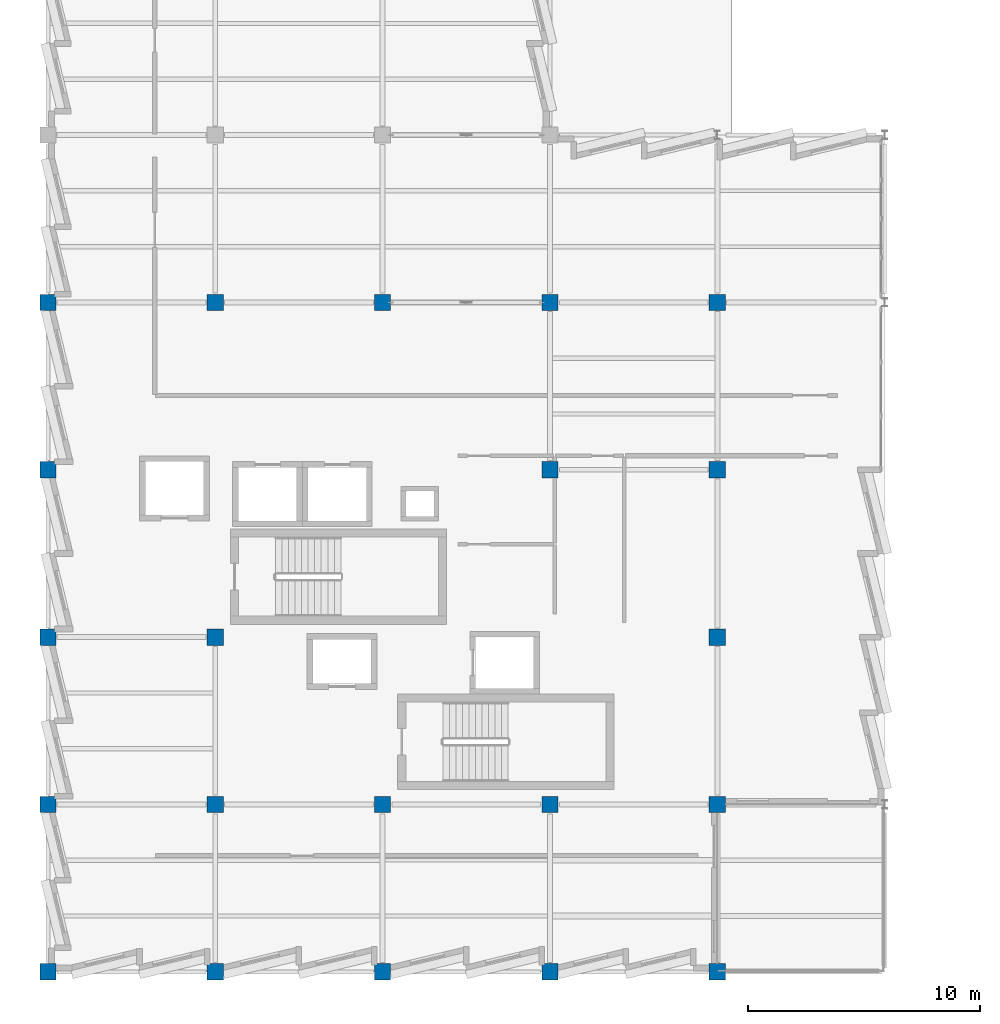
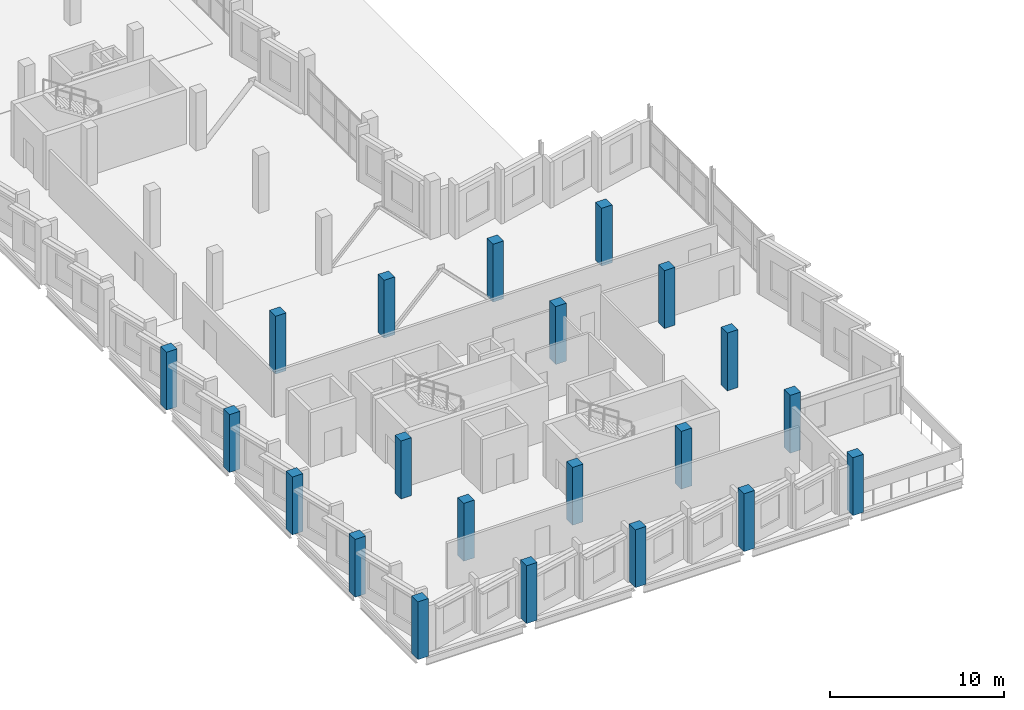
# One storey, part 1 of 38: 21 columns.
"""IFC4 building model written with IfcOpenShell, lengths in metres."""

from ifc_helpers import new_model, si_unit, direction, frame, origin, origin_2d, place, context, subcontext, project, spatial, rectangle, extrude, material, material_profile, profile_set, type_object, element, save


model = new_model("IFC4")

# Units and contexts
model_context = context("Model", 3, precision=1e-05, world=origin(), true_north=direction((0.0, 1.0)))
body_context = subcontext(model_context, "Body", "Model", "MODEL_VIEW")
ifc_project = project(units=[si_unit("LENGTHUNIT", "METRE"), si_unit("AREAUNIT", "SQUARE_METRE"), si_unit("VOLUMEUNIT", "CUBIC_METRE"), si_unit("PLANEANGLEUNIT", "RADIAN"), si_unit("MASSUNIT", "GRAM", prefix="KILO")], contexts=[model_context])

# Site, building, storey
site_placement = place(None, origin())
site = spatial("IfcSite", under=ifc_project, at=site_placement, CompositionType="ELEMENT")
building_placement = place(site_placement, origin())
building = spatial("IfcBuilding", under=site, at=building_placement, Name="Kalmorath City Hall", CompositionType="ELEMENT")
storey_placement = place(building_placement, frame((0.0, 0.0, 18.89990234375)))
storey = spatial("IfcBuildingStorey", under=building, at=storey_placement, Name="L04", CompositionType="ELEMENT", Elevation=18.89990234375)

# Columns
ifc_material = material(Name="Concrete C50/60", Category="concrete")
ifc_material_profile = material_profile(ifc_material, rectangle(XDim=0.699951171875, YDim=0.699951171875, at=origin_2d()), Name="RC-COL-700X700")
ifc_profile_set = profile_set([ifc_material_profile], Name="Concrete C50/60")
column_type = type_object("IfcColumnType", Name="Concrete column 700x700", PredefinedType="COLUMN", material=ifc_profile_set)
for number, where, z_axis, x_axis, name in (
    (1, (0.0, 0.0, 0.0), (0.0, 0.0, 1.0), (1.0, 0.0, 0.0), "L04 column C4 (1/1)"),
    (2, (0.0, 7.199951171875, 0.0), (0.0, 0.0, 1.0), (1.0, 0.0, 0.0), "L04 column C4 (1/2)"),
    (3, (0.0, 14.39990234375, 0.0), (0.0, 0.0, 1.0), (1.0, 0.0, 0.0), "L04 column C4 (1/3)"),
    (4, (0.0, 21.60009765625, 0.0), (0.0, 0.0, 1.0), (1.0, 0.0, 0.0), "L04 column C4 (1/4)"),
    (5, (0.0, 28.800048828125, 0.0), (0.0, 0.0, 1.0), (1.0, 0.0, 0.0), "L04 column C4 (1/5)"),
    (6, (7.199951171875, 0.0, 0.0), (0.0, 0.0, 1.0), (1.0, 0.0, 0.0), "L04 column C4 (2/1)"),
    (7, (7.199951171875, 7.199951171875, 0.0), (0.0, 0.0, 1.0), (1.0, 0.0, 0.0), "L04 column C4 (2/2)"),
    (8, (7.199951171875, 14.39990234375, 0.0), (0.0, 0.0, 1.0), (1.0, 0.0, 0.0), "L04 column C4 (2/3)"),
    (9, (7.199951171875, 28.800048828125, 0.0), (0.0, 0.0, 1.0), (1.0, 0.0, 0.0), "L04 column C4 (2/5)"),
    (10, (14.39990234375, 0.0, 0.0), (0.0, 0.0, 1.0), (1.0, 0.0, 0.0), "L04 column C4 (3/1)"),
    (11, (14.39990234375, 7.199951171875, 0.0), (0.0, 0.0, 1.0), (1.0, 0.0, 0.0), "L04 column C4 (3/2)"),
    (12, (14.39990234375, 28.800048828125, 0.0), (0.0, 0.0, 1.0), (1.0, 0.0, 0.0), "L04 column C4 (3/5)"),
    (13, (21.60009765625, 0.0, 0.0), (0.0, 0.0, 1.0), (1.0, 0.0, 0.0), "L04 column C4 (4/1)"),
    (14, (21.60009765625, 7.199951171875, 0.0), (0.0, 0.0, 1.0), (1.0, 0.0, 0.0), "L04 column C4 (4/2)"),
    (15, (21.60009765625, 21.60009765625, 0.0), (0.0, 0.0, 1.0), (1.0, 0.0, 0.0), "L04 column C4 (4/4)"),
    (16, (21.60009765625, 28.800048828125, 0.0), (0.0, 0.0, 1.0), (1.0, 0.0, 0.0), "L04 column C4 (4/5)"),
    (17, (28.800048828125, 0.0, 0.0), (0.0, 0.0, 1.0), (1.0, 0.0, 0.0), "L04 column C4 (5/1)"),
    (18, (28.800048828125, 7.199951171875, 0.0), (0.0, 0.0, 1.0), (1.0, 0.0, 0.0), "L04 column C4 (5/2)"),
    (19, (28.800048828125, 14.39990234375, 0.0), (0.0, 0.0, 1.0), (1.0, 0.0, 0.0), "L04 column C4 (5/3)"),
    (20, (28.800048828125, 21.60009765625, 0.0), (0.0, 0.0, 1.0), (1.0, 0.0, 0.0), "L04 column C4 (5/4)"),
    (21, (28.800048828125, 28.800048828125, 0.0), (0.0, 0.0, 1.0), (1.0, 0.0, 0.0), "L04 column C4 (5/5)"),
):
    element("IfcColumn", number, at=place(storey_placement, frame(where, z_axis=z_axis, x_axis=x_axis)), inside=storey, type_object=column_type, Name=name, PredefinedType="COLUMN", context=body_context, shape_type="SweptSolid", body=[
        extrude(rectangle(XDim=0.699951171875, YDim=0.699951171875, at=origin_2d()), origin(), (0.0, 0.0, 1.0), 4.050048828125),
    ])

save(model, "model.ifc")
